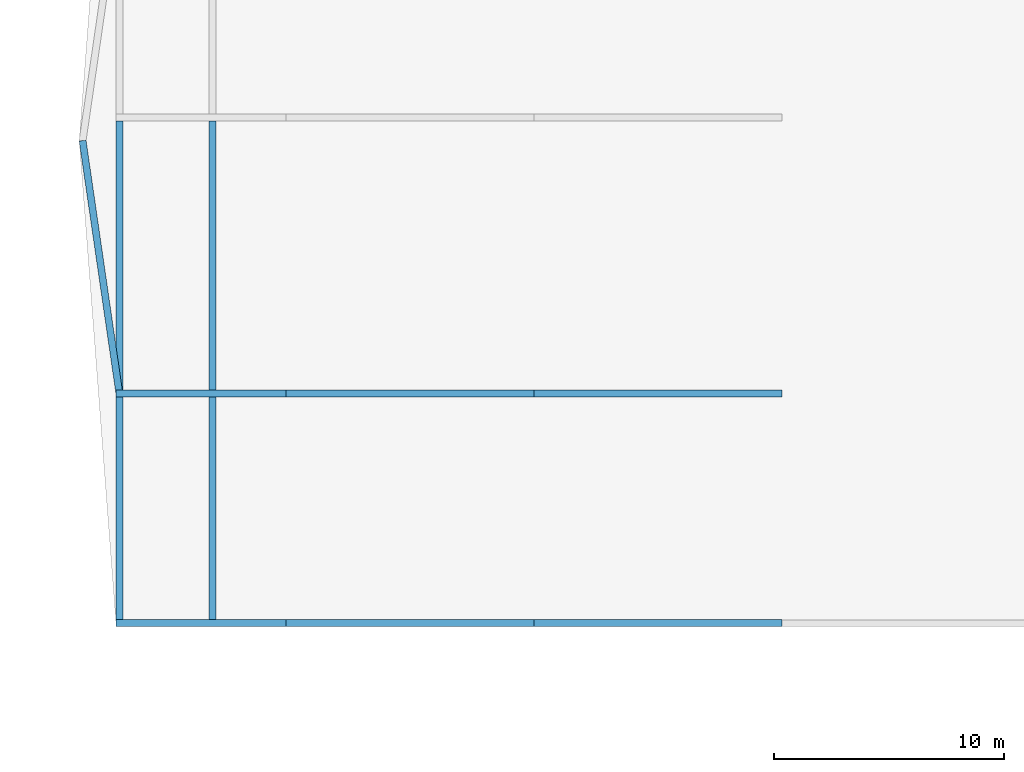
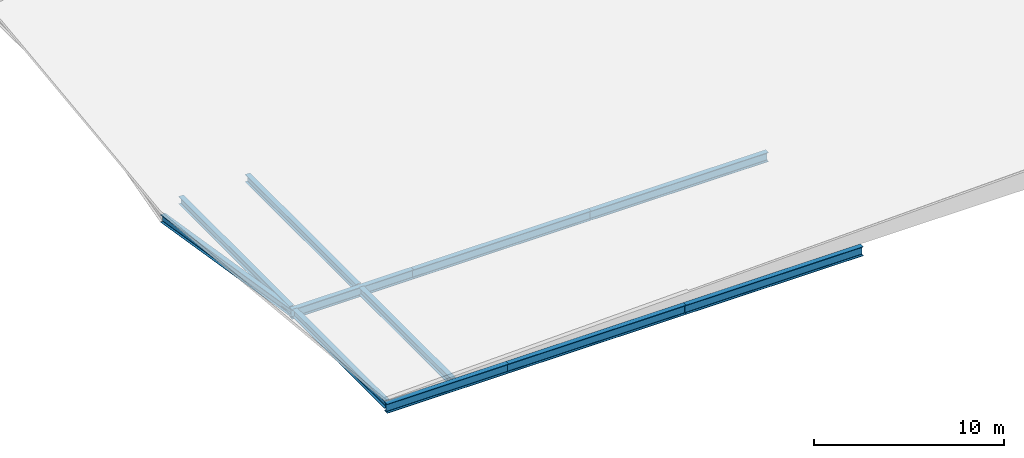
# One storey, part 10 of 86: 11 beams.
"""IFC4 building model written with IfcOpenShell, lengths in metres."""

from ifc_helpers import new_model, si_unit, direction, frame, origin, origin_2d, place, context, subcontext, project, spatial, i_section, extrude, material, material_profile, profile_set, type_object, element, save


model = new_model("IFC4")

# Units and contexts
model_context = context("Model", 3, precision=1e-05, world=origin(), true_north=direction((0.0, 1.0)))
body_context = subcontext(model_context, "Body", "Model", "MODEL_VIEW")
ifc_project = project(units=[si_unit("LENGTHUNIT", "METRE"), si_unit("AREAUNIT", "SQUARE_METRE"), si_unit("VOLUMEUNIT", "CUBIC_METRE"), si_unit("PLANEANGLEUNIT", "RADIAN"), si_unit("MASSUNIT", "GRAM", prefix="KILO")], contexts=[model_context])

# Site, building, storey
site_placement = place(None, origin())
site = spatial("IfcSite", under=ifc_project, at=site_placement, CompositionType="ELEMENT")
building_placement = place(site_placement, origin())
building = spatial("IfcBuilding", under=site, at=building_placement, Name="Tasgan Crest Museum", CompositionType="ELEMENT")
storey_placement = place(building_placement, frame((0.0, 0.0, 24.0)))
storey = spatial("IfcBuildingStorey", under=building, at=storey_placement, Name="L04", CompositionType="ELEMENT", Elevation=24.0)

# Beams
ifc_material_1 = material(Name="Steel S355K2", Category="steel")
ifc_material_profile_1 = material_profile(ifc_material_1, i_section(OverallWidth=0.300048828125, OverallDepth=0.60009765625, WebThickness=0.015380859375, FlangeThickness=0.030029296875, FilletRadius=0.027099609375, at=origin_2d()), Name="HEB 600")
ifc_profile_set_1 = profile_set([ifc_material_profile_1], Name="Steel S355K2")
beam_type_1 = type_object("IfcBeamType", Name="BM-CANT-G1", PredefinedType="BEAM", material=ifc_profile_set_1)
beam_1_placement = place(storey_placement, frame((3.39990234375, 40.0, -0.5400390625), z_axis=(1.0, 0.0, 0.0), x_axis=(0.0, 1.0, 0.0)))
element("IfcBeam", 1, at=beam_1_placement, inside=storey, type_object=beam_type_1, Name="Cantilever transfer girder TOP E", PredefinedType="BEAM", context=body_context, shape_type="SweptSolid", body=[
    extrude(i_section(OverallWidth=0.300048828125, OverallDepth=0.60009765625, WebThickness=0.015380859375, FlangeThickness=0.030029296875, FilletRadius=0.027099609375, at=origin_2d()), origin(), (0.0, 0.0, 1.0), 7.394287109375),
])
for number, where, z_axis, x_axis, name in (
    (2, (10.8056640625, 40.0, -0.5400390625), (1.0, 0.0, 0.0), (0.0, 1.0, 0.0), "Transfer back-span girder 1 TOP E"),
    (3, (21.605712890625, 40.0, -0.5400390625), (1.0, 0.0, 0.0), (0.0, 1.0, 0.0), "Transfer back-span girder 2 TOP E"),
):
    element("IfcBeam", number, at=place(storey_placement, frame(where, z_axis=z_axis, x_axis=x_axis)), inside=storey, type_object=beam_type_1, Name=name, PredefinedType="BEAM", context=body_context, shape_type="SweptSolid", body=[
        extrude(i_section(OverallWidth=0.300048828125, OverallDepth=0.60009765625, WebThickness=0.015380859375, FlangeThickness=0.030029296875, FilletRadius=0.027099609375, at=origin_2d()), origin(), (0.0, 0.0, 1.0), 10.78857421875),
    ])
beam_2_placement = place(storey_placement, frame((3.39990234375, 50.0, -0.5400390625), z_axis=(1.0, 0.0, 0.0), x_axis=(0.0, 1.0, 0.0)))
element("IfcBeam", 4, at=beam_2_placement, inside=storey, type_object=beam_type_1, Name="Cantilever transfer girder TOP F", PredefinedType="BEAM", context=body_context, shape_type="SweptSolid", body=[
    extrude(i_section(OverallWidth=0.300048828125, OverallDepth=0.60009765625, WebThickness=0.015380859375, FlangeThickness=0.030029296875, FilletRadius=0.027099609375, at=origin_2d()), origin(), (0.0, 0.0, 1.0), 7.394287109375),
])
for number, where, z_axis, x_axis, name in (
    (5, (10.8056640625, 50.0, -0.5400390625), (1.0, 0.0, 0.0), (0.0, 1.0, 0.0), "Transfer back-span girder 1 TOP F"),
    (6, (21.605712890625, 50.0, -0.5400390625), (1.0, 0.0, 0.0), (0.0, 1.0, 0.0), "Transfer back-span girder 2 TOP F"),
):
    element("IfcBeam", number, at=place(storey_placement, frame(where, z_axis=z_axis, x_axis=x_axis)), inside=storey, type_object=beam_type_1, Name=name, PredefinedType="BEAM", context=body_context, shape_type="SweptSolid", body=[
        extrude(i_section(OverallWidth=0.300048828125, OverallDepth=0.60009765625, WebThickness=0.015380859375, FlangeThickness=0.030029296875, FilletRadius=0.027099609375, at=origin_2d()), origin(), (0.0, 0.0, 1.0), 10.78857421875),
    ])
ifc_material_2 = material(Name="Steel S355J2", Category="steel")
ifc_material_profile_2 = material_profile(ifc_material_2, i_section(OverallWidth=0.300048828125, OverallDepth=0.489990234375, WebThickness=0.011962890625, FlangeThickness=0.02294921875, FilletRadius=0.027099609375, at=origin_2d()), Name="HEA 500")
ifc_profile_set_2 = profile_set([ifc_material_profile_2], Name="Steel S355J2")
beam_type_2 = type_object("IfcBeamType", Name="BM-G-HEA500", PredefinedType="BEAM", material=ifc_profile_set_2)
for number, where, z_axis, x_axis, name in (
    (7, (3.550048828125, 40.14990234375, -0.445068359375), (0.0, 1.0, 0.0), (-1.0, 0.0, 0.0), "Cantilever edge beam L04 TIP 40-50"),
    (8, (7.60009765625, 40.14990234375, -0.445068359375), (0.0, 1.0, 0.0), (-1.0, 0.0, 0.0), "Cantilever edge beam L04 MID 40-50"),
):
    element("IfcBeam", number, at=place(storey_placement, frame(where, z_axis=z_axis, x_axis=x_axis)), inside=storey, type_object=beam_type_2, Name=name, PredefinedType="BEAM", context=body_context, shape_type="SweptSolid", body=[
        extrude(i_section(OverallWidth=0.300048828125, OverallDepth=0.489990234375, WebThickness=0.011962890625, FlangeThickness=0.02294921875, FilletRadius=0.027099609375, at=origin_2d()), origin(), (0.0, 0.0, 1.0), 9.7001953125),
    ])
for number, where, z_axis, x_axis, name in (
    (9, (3.550048828125, 50.14990234375, -0.445068359375), (0.0, 1.0, 0.0), (-1.0, 0.0, 0.0), "Cantilever edge beam L04 TIP 50-62"),
    (10, (7.60009765625, 50.14990234375, -0.445068359375), (0.0, 1.0, 0.0), (-1.0, 0.0, 0.0), "Cantilever edge beam L04 MID 50-62"),
):
    element("IfcBeam", number, at=place(storey_placement, frame(where, z_axis=z_axis, x_axis=x_axis)), inside=storey, type_object=beam_type_2, Name=name, PredefinedType="BEAM", context=body_context, shape_type="SweptSolid", body=[
        extrude(i_section(OverallWidth=0.300048828125, OverallDepth=0.489990234375, WebThickness=0.011962890625, FlangeThickness=0.02294921875, FilletRadius=0.027099609375, at=origin_2d()), origin(), (0.0, 0.0, 1.0), 11.7001953125),
    ])
beam_3_placement = place(storey_placement, frame((3.550048828125, 50.0, -0.5400390625), z_axis=(-0.143948449067, 0.98958518785, 0.0), x_axis=(-0.98958518785, -0.143948449067, 0.0)))
element("IfcBeam", 11, at=beam_3_placement, inside=storey, type_object=beam_type_2, Name="Cantilever prow south girder L04", PredefinedType="BEAM", context=body_context, shape_type="SweptSolid", body=[
    extrude(i_section(OverallWidth=0.300048828125, OverallDepth=0.489990234375, WebThickness=0.011962890625, FlangeThickness=0.02294921875, FilletRadius=0.027099609375, at=origin_2d()), origin(), (0.0, 0.0, 1.0), 11.11572265625),
])

save(model, "model.ifc")
